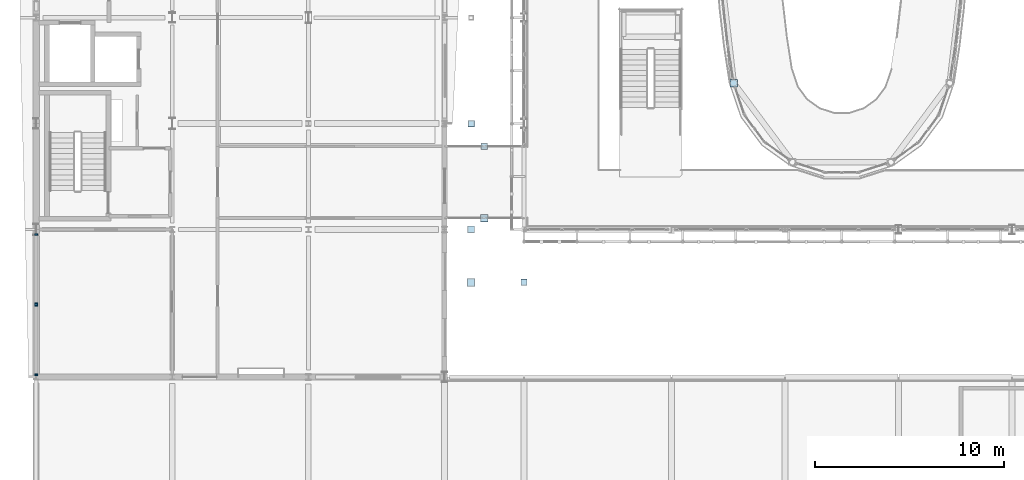
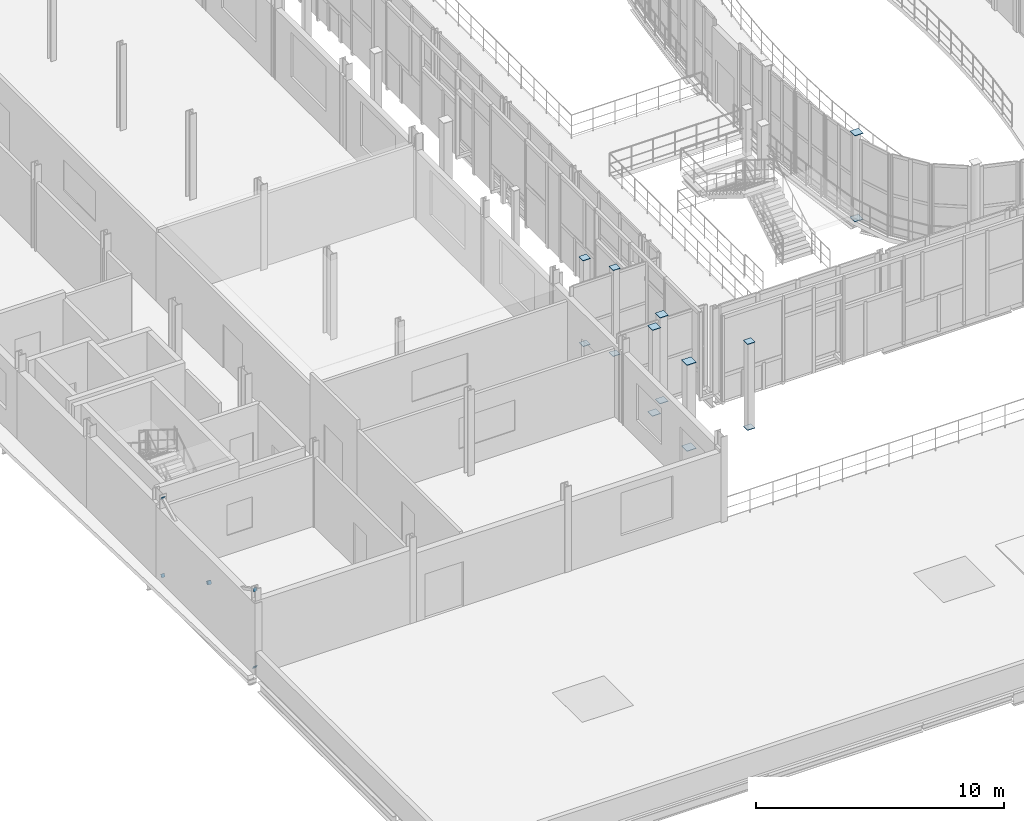
# One storey, part 104 of 138: 20 plates.
"""IFC4 building model written with IfcOpenShell, lengths in metres."""

from ifc_helpers import new_model, si_unit, direction, frame, origin, origin_2d, place, context, subcontext, project, spatial, rectangle, extrude, material, material_profile, profile_set, type_object, element, save


model = new_model("IFC4")

# Units and contexts
model_context = context("Model", 3, precision=1e-05, world=origin(), true_north=direction((0.0, 1.0)))
body_context = subcontext(model_context, "Body", "Model", "MODEL_VIEW")
ifc_project = project(units=[si_unit("LENGTHUNIT", "METRE"), si_unit("AREAUNIT", "SQUARE_METRE"), si_unit("VOLUMEUNIT", "CUBIC_METRE"), si_unit("PLANEANGLEUNIT", "RADIAN"), si_unit("MASSUNIT", "GRAM", prefix="KILO")], contexts=[model_context])

# Site, building, storey
site_placement = place(None, origin())
site = spatial("IfcSite", under=ifc_project, at=site_placement, CompositionType="ELEMENT")
building_placement = place(site_placement, origin())
building = spatial("IfcBuilding", under=site, at=building_placement, Name="Vinh Khe Railworks Police Headquarters", CompositionType="ELEMENT")
storey_placement = place(building_placement, frame((0.0, 0.0, 9.0)))
storey = spatial("IfcBuildingStorey", under=building, at=storey_placement, Name="L02", CompositionType="ELEMENT", Elevation=9.0)

# Plates
ifc_material = material(Name="Steel S355JR", Category="steel")
ifc_material_profile_1 = material_profile(ifc_material, rectangle(XDim=0.159912109375, YDim=0.159912109375, at=origin_2d()), Name="PL 160x160")
ifc_profile_set_1 = profile_set([ifc_material_profile_1], Name="Steel S355JR")
plate_type_1 = type_object("IfcPlateType", Name="Steel End-Cap Plate 160x160x24", PredefinedType="SHEET", material=ifc_profile_set_1)
for number, where, z_axis, x_axis, name in (
    (1, (0.60009765625, 17.52490234375, 0.199951171875), (0.0, -0.888217643156, -0.459422918874), (1.0, 0.0, 0.0), "End-Cap Gusset Plate PLT-EP-0001"),
    (2, (0.60009765625, 17.52490234375, 4.0), (0.0, -0.888217643156, 0.459422918874), (1.0, 0.0, 0.0), "End-Cap Gusset Plate PLT-EP-0002"),
    (3, (0.60009765625, 21.1669921875, 2.12841796875), (0.0, 0.888217643156, -0.459422918874), (-1.0, 0.0, 0.0), "End-Cap Gusset Plate PLT-EP-0018"),
):
    element("IfcPlate", number, at=place(storey_placement, frame(where, z_axis=z_axis, x_axis=x_axis)), inside=storey, type_object=plate_type_1, Name=name, PredefinedType="SHEET", context=body_context, shape_type="SweptSolid", body=[
        extrude(rectangle(XDim=0.159912109375, YDim=0.159912109375, at=origin_2d()), origin(), (0.0, 0.0, 1.0), 0.02392578125),
    ])
for number, where, z_axis, x_axis, name in (
    (4, (0.60009765625, 21.278076171875, 2.071533203125), (0.0, -0.890343551028, 0.455289315867), (1.0, 0.0, 0.0), "End-Cap Gusset Plate PLT-EP-0025"),
    (5, (0.60009765625, 24.919921875, 0.199951171875), (0.0, 0.890343551028, -0.455289315867), (-1.0, 0.0, 0.0), "End-Cap Gusset Plate PLT-EP-0037"),
    (6, (0.60009765625, 24.919921875, 4.0), (0.0, 0.890343551028, 0.455289315867), (-1.0, 0.0, 0.0), "End-Cap Gusset Plate PLT-EP-0038"),
):
    element("IfcPlate", number, at=place(storey_placement, frame(where, z_axis=z_axis, x_axis=x_axis)), inside=storey, type_object=plate_type_1, Name=name, PredefinedType="SHEET", context=body_context, shape_type="SweptSolid", body=[
        extrude(rectangle(XDim=0.159912109375, YDim=0.159912109375, at=origin_2d()), origin(), (0.0, 0.0, 1.0), 0.024169921875),
    ])
ifc_material_profile_2 = material_profile(ifc_material, rectangle(XDim=0.340087890625, YDim=0.340087890625, at=origin_2d()), Name="PL 340x340")
ifc_profile_set_2 = profile_set([ifc_material_profile_2], Name="Steel S355JR")
plate_type_2 = type_object("IfcPlateType", Name="Steel End-Cap Plate 340x340x24", PredefinedType="SHEET", material=ifc_profile_set_2)
plate_1_placement = place(storey_placement, frame((23.60009765625, 30.800048828125, 0.0), z_axis=(0.0, 0.0, -1.0), x_axis=(1.0, 0.0, 0.0)))
element("IfcPlate", 7, at=plate_1_placement, inside=storey, type_object=plate_type_2, Name="End-Cap Gusset Plate PLT-EP-0153", PredefinedType="SHEET", context=body_context, shape_type="SweptSolid", body=[
    extrude(rectangle(XDim=0.340087890625, YDim=0.340087890625, at=origin_2d()), origin(), (0.0, 0.0, 1.0), 0.02392578125),
])
plate_2_placement = place(storey_placement, frame((23.60009765625, 30.800048828125, 4.199951171875), z_axis=(0.0, 0.0, 1.0), x_axis=(1.0, 0.0, 0.0)))
element("IfcPlate", 8, at=plate_2_placement, inside=storey, type_object=plate_type_2, Name="End-Cap Gusset Plate PLT-EP-0156", PredefinedType="SHEET", context=body_context, shape_type="SweptSolid", body=[
    extrude(rectangle(XDim=0.340087890625, YDim=0.340087890625, at=origin_2d()), origin(), (0.0, 0.0, 1.0), 0.024169921875),
])
plate_3_placement = place(storey_placement, frame((24.300048828125, 29.60009765625, 0.0), z_axis=(0.0, 0.0, -1.0), x_axis=(1.0, 0.0, 0.0)))
element("IfcPlate", 9, at=plate_3_placement, inside=storey, type_object=plate_type_2, Name="End-Cap Gusset Plate PLT-EP-0220", PredefinedType="SHEET", context=body_context, shape_type="SweptSolid", body=[
    extrude(rectangle(XDim=0.340087890625, YDim=0.340087890625, at=origin_2d()), origin(), (0.0, 0.0, 1.0), 0.02392578125),
])
plate_4_placement = place(storey_placement, frame((24.300048828125, 29.60009765625, 4.199951171875), z_axis=(0.0, 0.0, 1.0), x_axis=(1.0, 0.0, 0.0)))
element("IfcPlate", 10, at=plate_4_placement, inside=storey, type_object=plate_type_2, Name="End-Cap Gusset Plate PLT-EP-0222", PredefinedType="SHEET", context=body_context, shape_type="SweptSolid", body=[
    extrude(rectangle(XDim=0.340087890625, YDim=0.340087890625, at=origin_2d()), origin(), (0.0, 0.0, 1.0), 0.024169921875),
])
plate_5_placement = place(storey_placement, frame((26.39990234375, 22.39990234375, 0.0), z_axis=(0.0, 0.0, -1.0), x_axis=(1.0, 0.0, 0.0)))
element("IfcPlate", 11, at=plate_5_placement, inside=storey, type_object=plate_type_2, Name="End-Cap Gusset Plate PLT-EP-0226", PredefinedType="SHEET", context=body_context, shape_type="SweptSolid", body=[
    extrude(rectangle(XDim=0.340087890625, YDim=0.340087890625, at=origin_2d()), origin(), (0.0, 0.0, 1.0), 0.02392578125),
])
plate_6_placement = place(storey_placement, frame((26.39990234375, 22.39990234375, 4.199951171875), z_axis=(0.0, 0.0, 1.0), x_axis=(1.0, 0.0, 0.0)))
element("IfcPlate", 12, at=plate_6_placement, inside=storey, type_object=plate_type_2, Name="End-Cap Gusset Plate PLT-EP-0229", PredefinedType="SHEET", context=body_context, shape_type="SweptSolid", body=[
    extrude(rectangle(XDim=0.340087890625, YDim=0.340087890625, at=origin_2d()), origin(), (0.0, 0.0, 1.0), 0.024169921875),
])
ifc_material_profile_3 = material_profile(ifc_material, rectangle(XDim=0.389892578125, YDim=0.389892578125, at=origin_2d()), Name="PL 390x390")
ifc_profile_set_3 = profile_set([ifc_material_profile_3], Name="Steel S355JR")
plate_type_3 = type_object("IfcPlateType", Name="Steel End-Cap Plate 390x390x24", PredefinedType="SHEET", material=ifc_profile_set_3)
plate_7_placement = place(storey_placement, frame((23.60009765625, 25.199951171875, 0.0), z_axis=(0.0, 0.0, -1.0), x_axis=(1.0, 0.0, 0.0)))
element("IfcPlate", 13, at=plate_7_placement, inside=storey, type_object=plate_type_3, Name="End-Cap Gusset Plate PLT-EP-0144", PredefinedType="SHEET", context=body_context, shape_type="SweptSolid", body=[
    extrude(rectangle(XDim=0.389892578125, YDim=0.389892578125, at=origin_2d()), origin(), (0.0, 0.0, 1.0), 0.02392578125),
])
plate_8_placement = place(storey_placement, frame((23.60009765625, 25.199951171875, 4.199951171875), z_axis=(0.0, 0.0, 1.0), x_axis=(1.0, 0.0, 0.0)))
element("IfcPlate", 14, at=plate_8_placement, inside=storey, type_object=plate_type_3, Name="End-Cap Gusset Plate PLT-EP-0147", PredefinedType="SHEET", context=body_context, shape_type="SweptSolid", body=[
    extrude(rectangle(XDim=0.389892578125, YDim=0.389892578125, at=origin_2d()), origin(), (0.0, 0.0, 1.0), 0.024169921875),
])
plate_9_placement = place(storey_placement, frame((24.300048828125, 25.800048828125, 0.0), z_axis=(0.0, 0.0, -1.0), x_axis=(1.0, 0.0, 0.0)))
element("IfcPlate", 15, at=plate_9_placement, inside=storey, type_object=plate_type_3, Name="End-Cap Gusset Plate PLT-EP-0214", PredefinedType="SHEET", context=body_context, shape_type="SweptSolid", body=[
    extrude(rectangle(XDim=0.389892578125, YDim=0.389892578125, at=origin_2d()), origin(), (0.0, 0.0, 1.0), 0.02392578125),
])
plate_10_placement = place(storey_placement, frame((24.300048828125, 25.800048828125, 4.199951171875), z_axis=(0.0, 0.0, 1.0), x_axis=(1.0, 0.0, 0.0)))
element("IfcPlate", 16, at=plate_10_placement, inside=storey, type_object=plate_type_3, Name="End-Cap Gusset Plate PLT-EP-0216", PredefinedType="SHEET", context=body_context, shape_type="SweptSolid", body=[
    extrude(rectangle(XDim=0.389892578125, YDim=0.389892578125, at=origin_2d()), origin(), (0.0, 0.0, 1.0), 0.024169921875),
])
ifc_material_profile_4 = material_profile(ifc_material, rectangle(XDim=0.39599609375, YDim=0.39599609375, at=origin_2d()), Name="PL 396x396")
ifc_profile_set_4 = profile_set([ifc_material_profile_4], Name="Steel S355JR")
plate_type_4 = type_object("IfcPlateType", Name="Steel End-Cap Plate 396x396x24", PredefinedType="SHEET", material=ifc_profile_set_4)
plate_11_placement = place(storey_placement, frame((37.48681640625, 32.944091796875, 0.0), z_axis=(0.0, 0.0, -1.0), x_axis=(1.0, 0.0, 0.0)))
element("IfcPlate", 17, at=plate_11_placement, inside=storey, type_object=plate_type_4, Name="End-Cap Gusset Plate PLT-EP-0353", PredefinedType="SHEET", context=body_context, shape_type="SweptSolid", body=[
    extrude(rectangle(XDim=0.39599609375, YDim=0.39599609375, at=origin_2d()), origin(), (0.0, 0.0, 1.0), 0.02392578125),
])
plate_12_placement = place(storey_placement, frame((37.48681640625, 32.944091796875, 4.199951171875), z_axis=(0.0, 0.0, 1.0), x_axis=(1.0, 0.0, 0.0)))
element("IfcPlate", 18, at=plate_12_placement, inside=storey, type_object=plate_type_4, Name="End-Cap Gusset Plate PLT-EP-0356", PredefinedType="SHEET", context=body_context, shape_type="SweptSolid", body=[
    extrude(rectangle(XDim=0.39599609375, YDim=0.39599609375, at=origin_2d()), origin(), (0.0, 0.0, 1.0), 0.024169921875),
])
ifc_material_profile_5 = material_profile(ifc_material, rectangle(XDim=0.43994140625, YDim=0.43994140625, at=origin_2d()), Name="PL 440x440")
ifc_profile_set_5 = profile_set([ifc_material_profile_5], Name="Steel S355JR")
plate_type_5 = type_object("IfcPlateType", Name="Steel End-Cap Plate 440x440x24", PredefinedType="SHEET", material=ifc_profile_set_5)
plate_13_placement = place(storey_placement, frame((23.60009765625, 22.39990234375, 0.0), z_axis=(0.0, 0.0, -1.0), x_axis=(1.0, 0.0, 0.0)))
element("IfcPlate", 19, at=plate_13_placement, inside=storey, type_object=plate_type_5, Name="End-Cap Gusset Plate PLT-EP-0136", PredefinedType="SHEET", context=body_context, shape_type="SweptSolid", body=[
    extrude(rectangle(XDim=0.43994140625, YDim=0.43994140625, at=origin_2d()), origin(), (0.0, 0.0, 1.0), 0.02392578125),
])
plate_14_placement = place(storey_placement, frame((23.60009765625, 22.39990234375, 4.199951171875), z_axis=(0.0, 0.0, 1.0), x_axis=(1.0, 0.0, 0.0)))
element("IfcPlate", 20, at=plate_14_placement, inside=storey, type_object=plate_type_5, Name="End-Cap Gusset Plate PLT-EP-0139", PredefinedType="SHEET", context=body_context, shape_type="SweptSolid", body=[
    extrude(rectangle(XDim=0.43994140625, YDim=0.43994140625, at=origin_2d()), origin(), (0.0, 0.0, 1.0), 0.024169921875),
])

save(model, "model.ifc")
